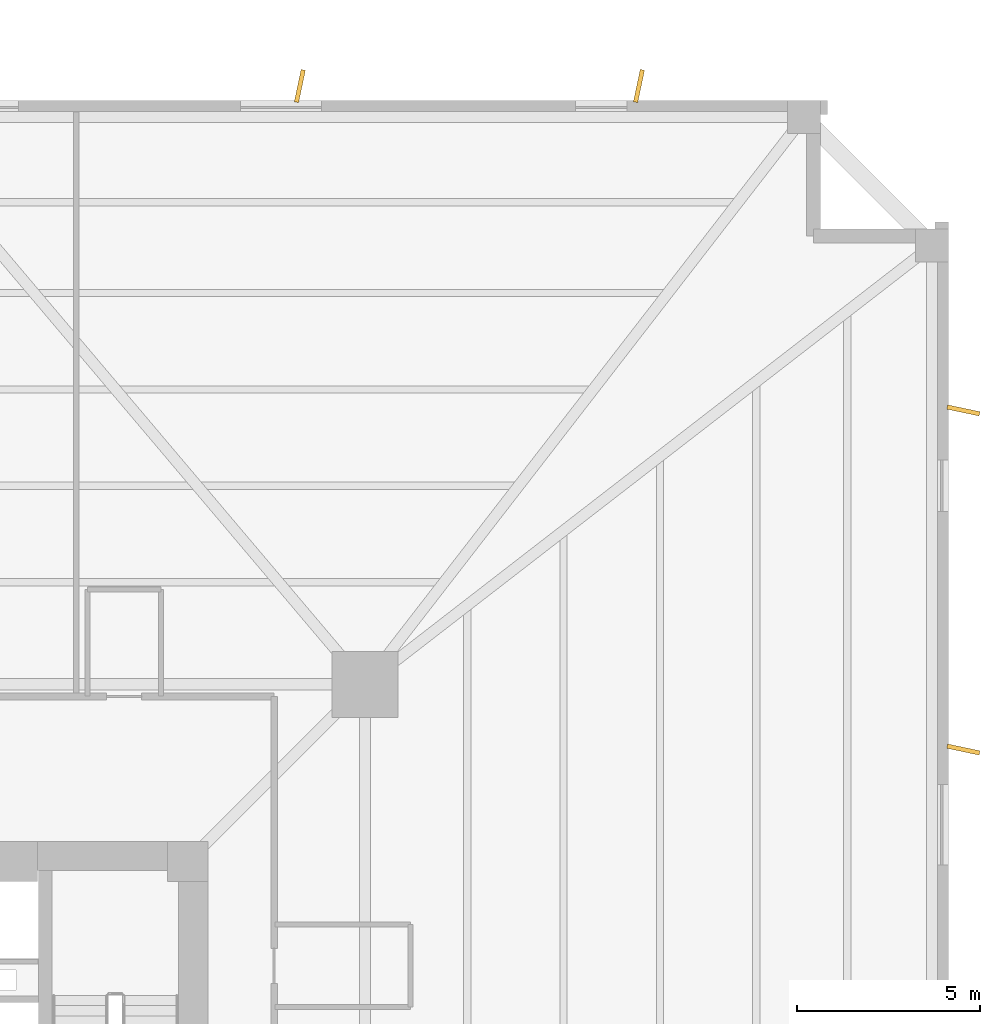
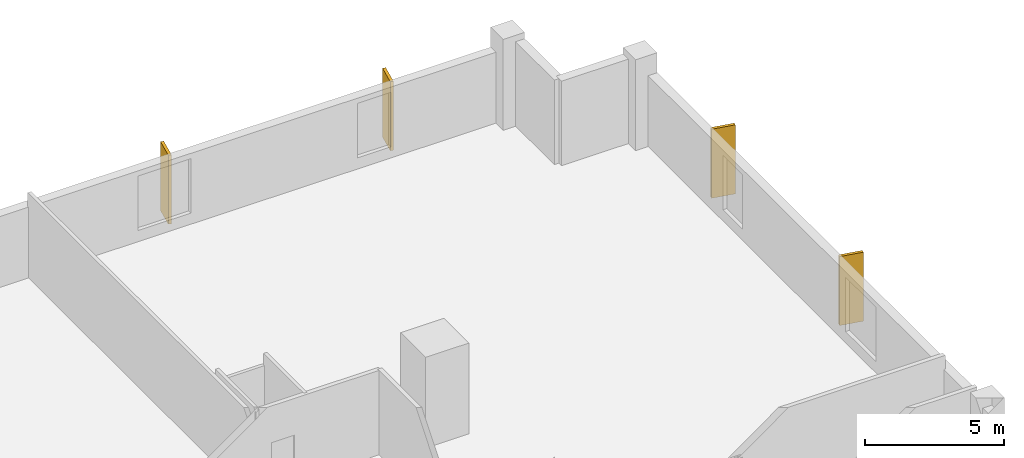
# One storey, part 8 of 8: 4 coverings.
"""IFC4 building model written with IfcOpenShell, lengths in metres."""

from ifc_helpers import new_model, si_unit, direction, frame, origin, origin_2d, place, context, subcontext, project, spatial, rectangle, extrude, source, transform, mapped, material, layer, layer_set, type_object, element, save


model = new_model("IFC4")

# Units and contexts
model_context = context("Model", 3, precision=1e-05, world=origin(), true_north=direction((0.0, 1.0)))
body_context = subcontext(model_context, "Body", "Model", "MODEL_VIEW")
ifc_project = project(units=[si_unit("LENGTHUNIT", "METRE"), si_unit("AREAUNIT", "SQUARE_METRE"), si_unit("VOLUMEUNIT", "CUBIC_METRE"), si_unit("PLANEANGLEUNIT", "RADIAN"), si_unit("MASSUNIT", "GRAM", prefix="KILO"), si_unit("THERMODYNAMICTEMPERATUREUNIT", "KELVIN")], contexts=[model_context])

# Site, building, storey
site_placement = place(None, origin())
site = spatial("IfcSite", under=ifc_project, at=site_placement, CompositionType="ELEMENT")
building_placement = place(site_placement, origin())
building = spatial("IfcBuilding", under=site, at=building_placement, Name="Kosmvard Interchange Tower", CompositionType="ELEMENT")
storey_placement = place(building_placement, frame((0.0, 0.0, 62.0)))
storey = spatial("IfcBuildingStorey", under=building, at=storey_placement, Name="L14", CompositionType="ELEMENT", Elevation=62.0)

# Coverings
ifc_material = material(Name="Architectural anodised aluminium", Category="aluminium")
ifc_layer = layer(ifc_material, 0.1201171875, Name="Architectural anodised aluminium")
ifc_layer_set = layer_set([ifc_layer], Name="Architectural anodised aluminium")
covering_type = type_object("IfcCoveringType", Name="Rotating Vertical Sun-Breaker Fin 900x120 Aluminium", PredefinedType="CLADDING", material=ifc_layer_set)
shared_shape = source(origin(), body_context, "Body", "SweptSolid", [
    extrude(rectangle(XDim=0.89990234375, YDim=0.1201171875, at=origin_2d()), origin(), (0.0, 0.0, 1.0), 3.0400390625),
])
for number, where, z_axis, x_axis, name in (
    (1, (29.39990234375, 11.3037109375, 0.0400390625), (0.0, 0.0, 1.0), (0.978364788978, -0.206887263232, 0.0), "L14 Rotating Vertical Sun-Breaker Fin 07"),
    (2, (29.39990234375, 20.552001953125, 0.0400390625), (0.0, 0.0, 1.0), (0.978364788978, -0.206887263232, 0.0), "L14 Rotating Vertical Sun-Breaker Fin 08"),
    (3, (20.552001953125, 29.39990234375, 0.0400390625), (0.0, 0.0, 1.0), (0.206887263232, 0.978364788978, 0.0), "L14 Rotating Vertical Sun-Breaker Fin 09"),
    (4, (11.3037109375, 29.39990234375, 0.0400390625), (0.0, 0.0, 1.0), (0.206887263232, 0.978364788978, 0.0), "L14 Rotating Vertical Sun-Breaker Fin 10"),
):
    element("IfcCovering", number, at=place(storey_placement, frame(where, z_axis=z_axis, x_axis=x_axis)), inside=storey, type_object=covering_type, Name=name, PredefinedType="CLADDING", context=body_context, shape_type="MappedRepresentation", body=[
        mapped(shared_shape, transform((0.0, 0.0, 0.0), scale=1.0)),
    ])

save(model, "model.ifc")
